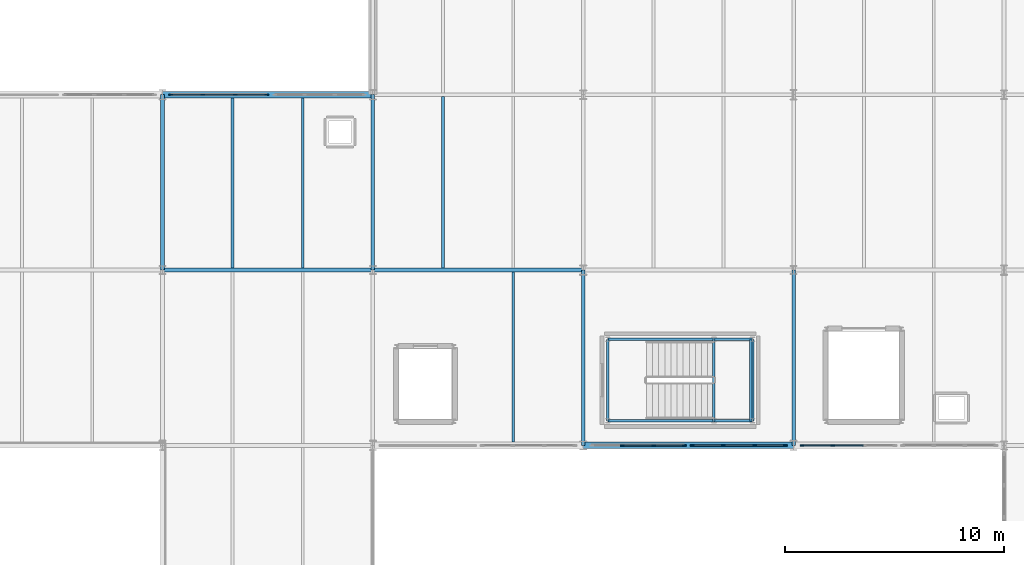
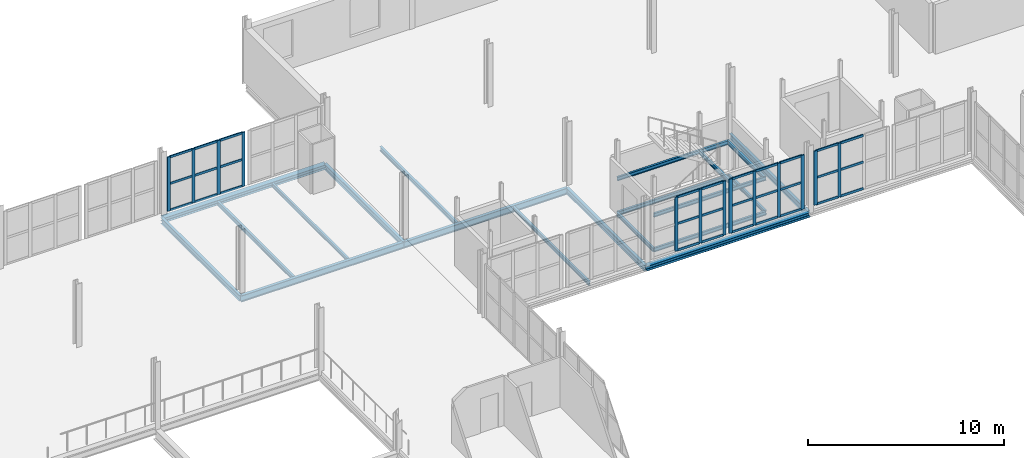
# One storey, part 51 of 85: 43 members, 20 beams, 4 elements without a shape of their own.
"""IFC4 building model written with IfcOpenShell, lengths in metres."""

import ifcopenshell
import ifcopenshell.guid

model = None  # the IFC model being written
_history = None  # IfcOwnerHistory: only IFC2X3 demands one
_inside = {}  # id of a spatial element -> (the spatial element, [elements in it])
_under = {}  # id of a project, library or spatial element -> (it, [spatial elements below it])
_declared = {}  # id of a project -> (the project, [libraries it declares])
_typed = {}  # id of a type object -> (the type object, [elements of that type])
_made_of = {}  # id of a material, layer set ... -> (it, [elements and type objects made of it])


def new_model(schema):
    """Start an empty IFC model of exactly this schema.

    Asked for "IFC4X3", IfcOpenShell would pick the latest addendum, in which some entities
    have other attributes; the version numbers below select the first issue.
    IFC2X3 requires an IfcOwnerHistory on every rooted entity: one is made here for all.
    """
    global model, _history
    if schema == "IFC4X3":
        model = ifcopenshell.file(schema_version=(4, 3, 0, 0))
    else:
        model = ifcopenshell.file(schema=schema)
    _inside.clear()
    _under.clear()
    _declared.clear()
    _typed.clear()
    _made_of.clear()
    _history = None
    if model.schema == "IFC2X3":
        org = make("IfcOrganization", Name="unknown")
        user = make(
            "IfcPersonAndOrganization",
            ThePerson=make("IfcPerson", FamilyName="unknown"),
            TheOrganization=org,
        )
        app = make(
            "IfcApplication",
            ApplicationDeveloper=org,
            Version="unknown",
            ApplicationFullName="unknown",
            ApplicationIdentifier="unknown",
        )
        _history = make(
            "IfcOwnerHistory",
            OwningUser=user,
            OwningApplication=app,
            ChangeAction="ADDED",
            CreationDate=0,
        )
    return model


def make(cls, **values):
    """One entity of the class cls with the attributes given. An attribute that is None is left unset."""
    return model.create_entity(
        cls, **{name: value for name, value in values.items() if value is not None}
    )


def rooted(cls, **values):
    """An entity with a GlobalId (a new one), such as an element, a storey or a relation."""
    return make(cls, GlobalId=ifcopenshell.guid.new(), OwnerHistory=_history, **values)


def si_unit(unit_type, name, prefix=None):
    """IfcSIUnit, for example si_unit("LENGTHUNIT", "METRE", prefix="MILLI")."""
    return make("IfcSIUnit", UnitType=unit_type, Prefix=prefix, Name=name)


def assignment(units):
    """IfcUnitAssignment: the units of a project."""
    return None if units is None else make("IfcUnitAssignment", Units=units)


def point(xyz):
    """IfcCartesianPoint."""
    return None if xyz is None else make("IfcCartesianPoint", Coordinates=xyz)


def direction(xyz):
    """IfcDirection."""
    return None if xyz is None else make("IfcDirection", DirectionRatios=xyz)


def frame(location, z_axis=None, x_axis=None):
    """IfcAxis2Placement3D, a coordinate frame: its origin and axes. An axis left out is left unset."""
    return make(
        "IfcAxis2Placement3D",
        Location=point(location),
        Axis=direction(z_axis),
        RefDirection=direction(x_axis),
    )


def frame_2d(location, x_axis=None):
    """IfcAxis2Placement2D, a coordinate frame in the plane: its origin and x axis."""
    return make(
        "IfcAxis2Placement2D", Location=point(location), RefDirection=direction(x_axis)
    )


def origin():
    """The frame at (0, 0, 0) with its axes left unset."""
    return frame((0.0, 0.0, 0.0))


def origin_2d():
    """The frame at (0, 0) in the plane with its x axis left unset."""
    return frame_2d((0.0, 0.0))


def place(relative_to, where):
    """IfcLocalPlacement: puts the frame where relative to a parent placement (None: the world)."""
    return make(
        "IfcLocalPlacement", PlacementRelTo=relative_to, RelativePlacement=where
    )


def context(
    kind, dimensions, precision=None, world=None, true_north=None, identifier=None
):
    """IfcGeometricRepresentationContext, for example the 3D "Model" context."""
    return make(
        "IfcGeometricRepresentationContext",
        ContextIdentifier=identifier,
        ContextType=kind,
        CoordinateSpaceDimension=dimensions,
        Precision=precision,
        WorldCoordinateSystem=world,
        TrueNorth=true_north,
    )


def subcontext(parent, identifier, kind, view, scale=None):
    """IfcGeometricRepresentationSubContext, for example "Body" below "Model"."""
    return make(
        "IfcGeometricRepresentationSubContext",
        ContextIdentifier=identifier,
        ContextType=kind,
        ParentContext=parent,
        TargetScale=scale,
        TargetView=view,
    )


def project(units=None, contexts=None):
    """IfcProject with its units and contexts."""
    return rooted(
        "IfcProject",
        Name="project",
        RepresentationContexts=contexts,
        UnitsInContext=assignment(units),
    )


def spatial(cls, under=None, at=None, **own):
    """A site, building, storey or space (cls), placed at a placement, below another one or the project."""
    s = rooted(cls, ObjectPlacement=at, **own)
    if under is not None:
        _under.setdefault(under.id(), (under, []))[1].append(s)
    return s


def profile(cls, at=None, kind="AREA", **sizes):
    """A parametric profile (cls). Its sizes go by their IFC names, for example OverallWidth=200.0."""
    return make(cls, ProfileType=kind, Position=at, **sizes)


def rectangle(**sizes):
    """IfcRectangleProfileDef."""
    return profile("IfcRectangleProfileDef", **sizes)


def i_section(**sizes):
    """IfcIShapeProfileDef."""
    return profile("IfcIShapeProfileDef", **sizes)


def extrude(swept, where, along, depth):
    """IfcExtrudedAreaSolid: the profile swept, set in the frame where, extruded along a direction by depth."""
    return make(
        "IfcExtrudedAreaSolid",
        SweptArea=swept,
        Position=where,
        ExtrudedDirection=direction(along),
        Depth=depth,
    )


def shape(context_of_items, identifier, shape_type, items):
    """IfcShapeRepresentation: the items that make up one representation, for example the "Body"."""
    return make(
        "IfcShapeRepresentation",
        ContextOfItems=context_of_items,
        RepresentationIdentifier=identifier,
        RepresentationType=shape_type,
        Items=items,
    )


def material(Name=None, Category=None):
    """IfcMaterial."""
    return make("IfcMaterial", Name=Name, Category=Category)


def layer(
    of_material, thickness, ventilated=None, Name=None, Category=None, Priority=None
):
    """IfcMaterialLayer: one layer of a wall or slab, of a material (None: an air gap)."""
    return make(
        "IfcMaterialLayer",
        Material=of_material,
        LayerThickness=thickness,
        IsVentilated=ventilated,
        Name=Name,
        Category=Category,
        Priority=Priority,
    )


def layer_set(layers, Name=None):
    """IfcMaterialLayerSet."""
    return make("IfcMaterialLayerSet", MaterialLayers=layers, LayerSetName=Name)


def material_profile(
    of_material, cross_section, Name=None, Category=None, Priority=None
):
    """IfcMaterialProfile: a cross section and its material."""
    return make(
        "IfcMaterialProfile",
        Name=Name,
        Material=of_material,
        Profile=cross_section,
        Priority=Priority,
        Category=Category,
    )


def profile_set(profiles, Name=None, composite=None):
    """IfcMaterialProfileSet."""
    return make(
        "IfcMaterialProfileSet",
        Name=Name,
        MaterialProfiles=profiles,
        CompositeProfile=composite,
    )


def made_of(thing, what):
    """Note that an element or type object is made of a material, layer set ...; save() writes the relation."""
    if what is not None:
        _made_of.setdefault(what.id(), (what, []))[1].append(thing)
    return thing


def type_object(cls, material=None, **own):
    """A type object (cls), such as IfcWallType, which elements share."""
    return made_of(rooted(cls, **own), material)


def element(
    cls,
    number,
    at=None,
    inside=None,
    cuts=None,
    type_object=None,
    material=None,
    context=None,
    identifier="Body",
    shape_type=None,
    held_by="IfcProductDefinitionShape",
    body=None,
    shapes=None,
    **own,
):
    """One element of the class cls, such as IfcWall. Its Tag is "e" and its number.

    at: its placement. inside: the storey or other place that contains it. cuts: it is an
    opening in that element (IfcRelVoidsElement). A single representation is given by context,
    identifier, shape_type and body (its items); several are given by shapes. held_by: the class
    of the entity that holds the representations. save() writes the other relations.
    """
    e = rooted(cls, Tag="e%d" % number, ObjectPlacement=at, **own)
    if body is not None:
        shapes = [shape(context, identifier, shape_type, body)]
    if shapes is not None:
        e.Representation = make(held_by, Representations=shapes)
    if inside is not None:
        _inside.setdefault(inside.id(), (inside, []))[1].append(e)
    if cuts is not None:
        rooted(
            "IfcRelVoidsElement", RelatingBuildingElement=cuts, RelatedOpeningElement=e
        )
    if type_object is not None:
        _typed.setdefault(type_object.id(), (type_object, []))[1].append(e)
    return made_of(e, material)


def aggregate(whole, parts):
    """IfcRelAggregates: a whole, such as a stair, and the parts it consists of."""
    return rooted("IfcRelAggregates", RelatingObject=whole, RelatedObjects=parts)


def save(model, path):
    """Write the relations noted so far, then the file.

    IfcRelAggregates (storeys below a building ...), IfcRelContainedInSpatialStructure (elements
    in a storey), IfcRelDefinesByType, IfcRelAssociatesMaterial and IfcRelDeclares: one each for
    every whole, place, type object, material and project.
    """
    for whole, parts in _under.values():
        aggregate(whole, parts)
    for where, things in _inside.values():
        rooted(
            "IfcRelContainedInSpatialStructure",
            RelatedElements=things,
            RelatingStructure=where,
        )
    for kind, things in _typed.values():
        rooted("IfcRelDefinesByType", RelatedObjects=things, RelatingType=kind)
    for what, things in _made_of.values():
        rooted("IfcRelAssociatesMaterial", RelatedObjects=things, RelatingMaterial=what)
    for by, libraries in _declared.values():
        rooted("IfcRelDeclares", RelatingContext=by, RelatedDefinitions=libraries)
    model.write(path)


model = new_model("IFC4")

# Units and contexts
model_context = context("Model", 3, precision=1e-05, world=origin(), true_north=direction((0.0, 1.0)))
body_context = subcontext(model_context, "Body", "Model", "MODEL_VIEW")
ifc_project = project(units=[si_unit("LENGTHUNIT", "METRE"), si_unit("AREAUNIT", "SQUARE_METRE"), si_unit("VOLUMEUNIT", "CUBIC_METRE"), si_unit("PLANEANGLEUNIT", "RADIAN"), si_unit("MASSUNIT", "GRAM", prefix="KILO")], contexts=[model_context])

# Site, building, storey
site_placement = place(None, origin())
site = spatial("IfcSite", under=ifc_project, at=site_placement, CompositionType="ELEMENT")
building_placement = place(site_placement, origin())
building = spatial("IfcBuilding", under=site, at=building_placement, Name="Alderhovde Museum", CompositionType="ELEMENT")
storey_placement = place(building_placement, frame((0.0, 0.0, 8.699951171875)))
storey = spatial("IfcBuildingStorey", under=building, at=storey_placement, Name="L02", CompositionType="ELEMENT", Elevation=8.699951171875)

# Beams
ifc_material_1 = material(Name="Steel S355J2", Category="steel")
ifc_material_profile_1 = material_profile(ifc_material_1, i_section(OverallWidth=0.1201171875, OverallDepth=0.239990234375, WebThickness=0.006103515625, FlangeThickness=0.009765625, FilletRadius=0.014892578125, at=origin_2d()), Name="IPE 240")
ifc_profile_set_1 = profile_set([ifc_material_profile_1], Name="Steel S355J2")
beam_type_1 = type_object("IfcBeamType", Name="BM-IPE240", PredefinedType="BEAM", material=ifc_profile_set_1)
for number, where, z_axis, x_axis, name in (
    (1, (125.919921875, 73.1201171875, -0.3798828125), (1.0, 0.0, 0.0), (0.0, 1.0, 0.0), "L02 Stair ST4 Floor Trimmer S"),
    (2, (125.919921875, 76.840087890625, -0.3798828125), (1.0, 0.0, 0.0), (0.0, 1.0, 0.0), "L02 Stair ST4 Floor Trimmer N"),
):
    element("IfcBeam", number, at=place(storey_placement, frame(where, z_axis=z_axis, x_axis=x_axis)), inside=storey, type_object=beam_type_1, Name=name, PredefinedType="BEAM", context=body_context, shape_type="SweptSolid", body=[
        extrude(i_section(OverallWidth=0.1201171875, OverallDepth=0.239990234375, WebThickness=0.006103515625, FlangeThickness=0.009765625, FilletRadius=0.014892578125, at=origin_2d()), origin(), (0.0, 0.0, 1.0), 6.60009765625),
    ])
for number, where, z_axis, x_axis, name in (
    (3, (125.919921875, 73.1201171875, -0.3798828125), (0.0, 1.0, 0.0), (-1.0, 0.0, 0.0), "L02 Stair ST4 Floor Trimmer W"),
    (4, (132.52001953125, 73.1201171875, -0.3798828125), (0.0, 1.0, 0.0), (-1.0, 0.0, 0.0), "L02 Stair ST4 Floor Trimmer E"),
):
    element("IfcBeam", number, at=place(storey_placement, frame(where, z_axis=z_axis, x_axis=x_axis)), inside=storey, type_object=beam_type_1, Name=name, PredefinedType="BEAM", context=body_context, shape_type="SweptSolid", body=[
        extrude(i_section(OverallWidth=0.1201171875, OverallDepth=0.239990234375, WebThickness=0.006103515625, FlangeThickness=0.009765625, FilletRadius=0.014892578125, at=origin_2d()), origin(), (0.0, 0.0, 1.0), 3.719970703125),
    ])
for number, where, z_axis, x_axis, name in (
    (5, (125.919921875, 73.1201171875, 1.780029296875), (1.0, 0.0, 0.0), (0.0, 1.0, 0.0), "L02 Stair ST4 Landing 1 Beam S"),
    (6, (125.919921875, 76.840087890625, 1.780029296875), (1.0, 0.0, 0.0), (0.0, 1.0, 0.0), "L02 Stair ST4 Landing 1 Beam N"),
):
    element("IfcBeam", number, at=place(storey_placement, frame(where, z_axis=z_axis, x_axis=x_axis)), inside=storey, type_object=beam_type_1, Name=name, PredefinedType="BEAM", context=body_context, shape_type="SweptSolid", body=[
        extrude(i_section(OverallWidth=0.1201171875, OverallDepth=0.239990234375, WebThickness=0.006103515625, FlangeThickness=0.009765625, FilletRadius=0.014892578125, at=origin_2d()), origin(), (0.0, 0.0, 1.0), 6.60009765625),
    ])
for number, where, z_axis, x_axis, name in (
    (7, (130.760009765625, 73.1201171875, 1.780029296875), (0.0, 1.0, 0.0), (-1.0, 0.0, 0.0), "L02 Stair ST4 Landing 1 Beam W"),
    (8, (132.43994140625, 73.1201171875, 1.780029296875), (0.0, 1.0, 0.0), (-1.0, 0.0, 0.0), "L02 Stair ST4 Landing 1 Beam E"),
):
    element("IfcBeam", number, at=place(storey_placement, frame(where, z_axis=z_axis, x_axis=x_axis)), inside=storey, type_object=beam_type_1, Name=name, PredefinedType="BEAM", context=body_context, shape_type="SweptSolid", body=[
        extrude(i_section(OverallWidth=0.1201171875, OverallDepth=0.239990234375, WebThickness=0.006103515625, FlangeThickness=0.009765625, FilletRadius=0.014892578125, at=origin_2d()), origin(), (0.0, 0.0, 1.0), 3.719970703125),
    ])
ifc_material_2 = material(Name="Steel S355J2", Category="steel")
ifc_material_profile_2 = material_profile(ifc_material_2, i_section(OverallWidth=0.169921875, OverallDepth=0.360107421875, WebThickness=0.008056640625, FlangeThickness=0.0126953125, FilletRadius=0.01806640625, at=origin_2d()), Name="IPE 360")
ifc_profile_set_2 = profile_set([ifc_material_profile_2], Name="Steel S355J2")
beam_type_2 = type_object("IfcBeamType", Name="BM-IPE360", PredefinedType="BEAM", material=ifc_profile_set_2)
for number, where, z_axis, x_axis, name in (
    (9, (105.60009765625, 80.0, -0.43994140625), (0.0, 1.0, 0.0), (-1.0, 0.0, 0.0), "L02 Grid Beam X=105.6 (80.0 TO 88.0)"),
    (10, (115.199951171875, 80.0, -0.43994140625), (0.0, 1.0, 0.0), (-1.0, 0.0, 0.0), "L02 Grid Beam X=115.2 (80.0 TO 88.0)"),
    (11, (124.800048828125, 72.0, -0.43994140625), (0.0, 1.0, 0.0), (-1.0, 0.0, 0.0), "L02 Grid Beam X=124.8 (72.0 TO 80.0)"),
    (12, (134.39990234375, 72.0, -0.43994140625), (0.0, 1.0, 0.0), (-1.0, 0.0, 0.0), "L02 Grid Beam X=134.4 (72.0 TO 80.0)"),
):
    element("IfcBeam", number, at=place(storey_placement, frame(where, z_axis=z_axis, x_axis=x_axis)), inside=storey, type_object=beam_type_2, Name=name, PredefinedType="BEAM", context=body_context, shape_type="SweptSolid", body=[
        extrude(i_section(OverallWidth=0.169921875, OverallDepth=0.360107421875, WebThickness=0.008056640625, FlangeThickness=0.0126953125, FilletRadius=0.01806640625, at=origin_2d()), origin(), (0.0, 0.0, 1.0), 8.0),
    ])
ifc_material_3 = material(Name="Steel S355J2", Category="steel")
ifc_material_profile_3 = material_profile(ifc_material_3, i_section(OverallWidth=0.179931640625, OverallDepth=0.39990234375, WebThickness=0.008544921875, FlangeThickness=0.013427734375, FilletRadius=0.02099609375, at=origin_2d()), Name="IPE 400")
ifc_profile_set_3 = profile_set([ifc_material_profile_3], Name="Steel S355J2")
beam_type_3 = type_object("IfcBeamType", Name="BM-IPE400", PredefinedType="BEAM", material=ifc_profile_set_3)
beam_1_placement = place(storey_placement, frame((105.60009765625, 80.0, -0.4599609375), z_axis=(1.0, 0.0, 0.0), x_axis=(0.0, 1.0, 0.0)))
element("IfcBeam", 13, at=beam_1_placement, inside=storey, type_object=beam_type_3, Name="L02 Grid Beam Y=80.0 (105.6 TO 115.2)", PredefinedType="BEAM", context=body_context, shape_type="SweptSolid", body=[
    extrude(i_section(OverallWidth=0.179931640625, OverallDepth=0.39990234375, WebThickness=0.008544921875, FlangeThickness=0.013427734375, FilletRadius=0.02099609375, at=origin_2d()), origin(), (0.0, 0.0, 1.0), 9.599853515625),
])
beam_2_placement = place(storey_placement, frame((115.199951171875, 80.0, -0.4599609375), z_axis=(1.0, 0.0, 0.0), x_axis=(0.0, 1.0, 0.0)))
element("IfcBeam", 14, at=beam_2_placement, inside=storey, type_object=beam_type_3, Name="L02 Grid Beam Y=80.0 (115.2 TO 124.8)", PredefinedType="BEAM", context=body_context, shape_type="SweptSolid", body=[
    extrude(i_section(OverallWidth=0.179931640625, OverallDepth=0.39990234375, WebThickness=0.008544921875, FlangeThickness=0.013427734375, FilletRadius=0.02099609375, at=origin_2d()), origin(), (0.0, 0.0, 1.0), 9.60009765625),
])

# Curtain wall, members
ifc_material_4 = material(Name="Triple-Glazed Bronze-Anodised Curtain Wall", Category="glass")
ifc_layer_1 = layer(ifc_material_4, 0.179931640625)
ifc_layer_set_1 = layer_set([ifc_layer_1], Name="Triple-Glazed Bronze-Anodised Curtain Wall")
curtain_wall_type_1 = type_object("IfcCurtainWallType", Name="CW-UNIT-445x336", PredefinedType="USERDEFINED", material=ifc_layer_set_1)
curtain_wall_1_placement = place(storey_placement, origin())
curtain_wall_1 = element("IfcCurtainWall", 15, at=curtain_wall_1_placement, inside=storey, type_object=curtain_wall_type_1, Name="L02 Unitised Curtain Wall 33", ObjectType="UNITISED CURTAIN WALL", PredefinedType="USERDEFINED")
ifc_material_5 = material(Name="Bronze-Anodised Aluminium EN AW-6063-T6", Category="aluminium")
ifc_material_profile_4 = material_profile(ifc_material_5, rectangle(XDim=0.06494140625, YDim=0.179931640625, at=origin_2d()), Name="MULLION 65x180")
ifc_profile_set_4 = profile_set([ifc_material_profile_4], Name="Bronze-Anodised Aluminium EN AW-6063-T6")
member_type_1 = type_object("IfcMemberType", Name="CWM-65x180", PredefinedType="MULLION", material=ifc_profile_set_4)
member_1_placement = place(storey_placement, frame((105.982421875, 88.0, 0.0), z_axis=(0.0, 0.0, 1.0), x_axis=(0.0, 1.0, 0.0)))
member_1 = element("IfcMember", 16, at=member_1_placement, type_object=member_type_1, Name="CW10 mullion 1", PredefinedType="MULLION", context=body_context, shape_type="SweptSolid", body=[
    extrude(rectangle(XDim=0.06494140625, YDim=0.179931640625, at=origin_2d()), origin(), (0.0, 0.0, 1.0), 3.360107421875),
])
member_2_placement = place(storey_placement, frame((107.433349609375, 88.0, 0.0), z_axis=(0.0, 0.0, 1.0), x_axis=(0.0, 1.0, 0.0)))
member_2 = element("IfcMember", 17, at=member_2_placement, type_object=member_type_1, Name="CW10 mullion 2", PredefinedType="MULLION", context=body_context, shape_type="SweptSolid", body=[
    extrude(rectangle(XDim=0.06494140625, YDim=0.179931640625, at=origin_2d()), origin(), (0.0, 0.0, 1.0), 3.360107421875),
])
member_3_placement = place(storey_placement, frame((108.916748046875, 88.0, 0.0), z_axis=(0.0, 0.0, 1.0), x_axis=(0.0, 1.0, 0.0)))
member_3 = element("IfcMember", 18, at=member_3_placement, type_object=member_type_1, Name="CW10 mullion 3", PredefinedType="MULLION", context=body_context, shape_type="SweptSolid", body=[
    extrude(rectangle(XDim=0.06494140625, YDim=0.179931640625, at=origin_2d()), origin(), (0.0, 0.0, 1.0), 3.360107421875),
])
member_4_placement = place(storey_placement, frame((110.367431640625, 88.0, 0.0), z_axis=(0.0, 0.0, 1.0), x_axis=(0.0, 1.0, 0.0)))
member_4 = element("IfcMember", 19, at=member_4_placement, type_object=member_type_1, Name="CW10 mullion 4", PredefinedType="MULLION", context=body_context, shape_type="SweptSolid", body=[
    extrude(rectangle(XDim=0.06494140625, YDim=0.179931640625, at=origin_2d()), origin(), (0.0, 0.0, 1.0), 3.360107421875),
])

ifc_material_6 = material(Name="Triple-Glazed Bronze-Anodised Curtain Wall", Category="glass")
ifc_layer_2 = layer(ifc_material_6, 0.179931640625)
ifc_layer_set_2 = layer_set([ifc_layer_2], Name="Triple-Glazed Bronze-Anodised Curtain Wall")
curtain_wall_type_2 = type_object("IfcCurtainWallType", Name="CW-STIC-430x336", PredefinedType="USERDEFINED", material=ifc_layer_set_2)
curtain_wall_2_placement = place(storey_placement, origin())
curtain_wall_2 = element("IfcCurtainWall", 20, at=curtain_wall_2_placement, inside=storey, type_object=curtain_wall_type_2, Name="L02 Stick Curtain Wall 158", ObjectType="STICK CURTAIN WALL", PredefinedType="USERDEFINED")
member_5_placement = place(storey_placement, frame((126.583251953125, 72.0, 0.0), z_axis=(0.0, 0.0, 1.0), x_axis=(0.0, 1.0, 0.0)))
member_5 = element("IfcMember", 21, at=member_5_placement, type_object=member_type_1, Name="CW37 mullion 2", PredefinedType="MULLION", context=body_context, shape_type="SweptSolid", body=[
    extrude(rectangle(XDim=0.06494140625, YDim=0.179931640625, at=origin_2d()), origin(), (0.0, 0.0, 1.0), 3.360107421875),
])
member_6_placement = place(storey_placement, frame((128.0166015625, 72.0, 0.0), z_axis=(0.0, 0.0, 1.0), x_axis=(0.0, 1.0, 0.0)))
member_6 = element("IfcMember", 22, at=member_6_placement, type_object=member_type_1, Name="CW37 mullion 3", PredefinedType="MULLION", context=body_context, shape_type="SweptSolid", body=[
    extrude(rectangle(XDim=0.06494140625, YDim=0.179931640625, at=origin_2d()), origin(), (0.0, 0.0, 1.0), 3.360107421875),
])
member_7_placement = place(storey_placement, frame((129.41748046875, 72.0, 0.0), z_axis=(0.0, 0.0, 1.0), x_axis=(0.0, 1.0, 0.0)))
member_7 = element("IfcMember", 23, at=member_7_placement, type_object=member_type_1, Name="CW37 mullion 4", PredefinedType="MULLION", context=body_context, shape_type="SweptSolid", body=[
    extrude(rectangle(XDim=0.06494140625, YDim=0.179931640625, at=origin_2d()), origin(), (0.0, 0.0, 1.0), 3.360107421875),
])

curtain_wall_3_placement = place(storey_placement, origin())
curtain_wall_3 = element("IfcCurtainWall", 24, at=curtain_wall_3_placement, inside=storey, type_object=curtain_wall_type_2, Name="L02 Stick Curtain Wall 159", ObjectType="STICK CURTAIN WALL", PredefinedType="USERDEFINED")
member_8_placement = place(storey_placement, frame((129.782470703125, 72.0, 0.0), z_axis=(0.0, 0.0, 1.0), x_axis=(0.0, 1.0, 0.0)))
member_8 = element("IfcMember", 25, at=member_8_placement, type_object=member_type_1, Name="CW37 mullion 1", PredefinedType="MULLION", context=body_context, shape_type="SweptSolid", body=[
    extrude(rectangle(XDim=0.06494140625, YDim=0.179931640625, at=origin_2d()), origin(), (0.0, 0.0, 1.0), 3.360107421875),
])
member_9_placement = place(storey_placement, frame((131.183349609375, 72.0, 0.0), z_axis=(0.0, 0.0, 1.0), x_axis=(0.0, 1.0, 0.0)))
member_9 = element("IfcMember", 26, at=member_9_placement, type_object=member_type_1, Name="CW37 mullion 2", PredefinedType="MULLION", context=body_context, shape_type="SweptSolid", body=[
    extrude(rectangle(XDim=0.06494140625, YDim=0.179931640625, at=origin_2d()), origin(), (0.0, 0.0, 1.0), 3.360107421875),
])
member_10_placement = place(storey_placement, frame((132.61669921875, 72.0, 0.0), z_axis=(0.0, 0.0, 1.0), x_axis=(0.0, 1.0, 0.0)))
member_10 = element("IfcMember", 27, at=member_10_placement, type_object=member_type_1, Name="CW37 mullion 3", PredefinedType="MULLION", context=body_context, shape_type="SweptSolid", body=[
    extrude(rectangle(XDim=0.06494140625, YDim=0.179931640625, at=origin_2d()), origin(), (0.0, 0.0, 1.0), 3.360107421875),
])
member_11_placement = place(storey_placement, frame((134.017578125, 72.0, 0.0), z_axis=(0.0, 0.0, 1.0), x_axis=(0.0, 1.0, 0.0)))
member_11 = element("IfcMember", 28, at=member_11_placement, type_object=member_type_1, Name="CW37 mullion 4", PredefinedType="MULLION", context=body_context, shape_type="SweptSolid", body=[
    extrude(rectangle(XDim=0.06494140625, YDim=0.179931640625, at=origin_2d()), origin(), (0.0, 0.0, 1.0), 3.360107421875),
])

curtain_wall_4_placement = place(storey_placement, origin())
curtain_wall_4 = element("IfcCurtainWall", 29, at=curtain_wall_4_placement, inside=storey, type_object=curtain_wall_type_2, Name="L02 Stick Curtain Wall 161", ObjectType="STICK CURTAIN WALL", PredefinedType="USERDEFINED")
member_12_placement = place(storey_placement, frame((134.782470703125, 72.0, 0.0), z_axis=(0.0, 0.0, 1.0), x_axis=(0.0, 1.0, 0.0)))
member_12 = element("IfcMember", 30, at=member_12_placement, type_object=member_type_1, Name="CW37 mullion 1", PredefinedType="MULLION", context=body_context, shape_type="SweptSolid", body=[
    extrude(rectangle(XDim=0.06494140625, YDim=0.179931640625, at=origin_2d()), origin(), (0.0, 0.0, 1.0), 3.360107421875),
])
member_13_placement = place(storey_placement, frame((136.183349609375, 72.0, 0.0), z_axis=(0.0, 0.0, 1.0), x_axis=(0.0, 1.0, 0.0)))
member_13 = element("IfcMember", 31, at=member_13_placement, type_object=member_type_1, Name="CW37 mullion 2", PredefinedType="MULLION", context=body_context, shape_type="SweptSolid", body=[
    extrude(rectangle(XDim=0.06494140625, YDim=0.179931640625, at=origin_2d()), origin(), (0.0, 0.0, 1.0), 3.360107421875),
])

# Member
ifc_material_7 = material(Name="Bronze-Anodised Aluminium EN AW-6063-T6", Category="aluminium")
ifc_material_profile_5 = material_profile(ifc_material_7, rectangle(XDim=0.06494140625, YDim=0.139892578125, at=origin_2d()), Name="TRANSOM 65x140")
ifc_profile_set_5 = profile_set([ifc_material_profile_5], Name="Bronze-Anodised Aluminium EN AW-6063-T6")
member_type_2 = type_object("IfcMemberType", Name="CWT-65x140", PredefinedType="USERDEFINED", material=ifc_profile_set_5)
member_14_placement = place(storey_placement, frame((106.014892578125, 88.0, 0.032470703125), z_axis=(1.0, 0.0, 0.0), x_axis=(0.0, 1.0, 0.0)))
member_14 = element("IfcMember", 32, at=member_14_placement, type_object=member_type_2, Name="CW10 transom 1.1", ObjectType="TRANSOM", PredefinedType="USERDEFINED", context=body_context, shape_type="SweptSolid", body=[
    extrude(rectangle(XDim=0.06494140625, YDim=0.139892578125, at=origin_2d()), origin(), (0.0, 0.0, 1.0), 1.385986328125),
])

member_15_placement = place(storey_placement, frame((106.014892578125, 88.0, 1.679931640625), z_axis=(1.0, 0.0, 0.0), x_axis=(0.0, 1.0, 0.0)))
member_15 = element("IfcMember", 33, at=member_15_placement, type_object=member_type_2, Name="CW10 transom 1.2", ObjectType="TRANSOM", PredefinedType="USERDEFINED", context=body_context, shape_type="SweptSolid", body=[
    extrude(rectangle(XDim=0.06494140625, YDim=0.139892578125, at=origin_2d()), origin(), (0.0, 0.0, 1.0), 1.385986328125),
])

member_16_placement = place(storey_placement, frame((106.014892578125, 88.0, 3.32763671875), z_axis=(1.0, 0.0, 0.0), x_axis=(0.0, 1.0, 0.0)))
member_16 = element("IfcMember", 34, at=member_16_placement, type_object=member_type_2, Name="CW10 transom 1.3", ObjectType="TRANSOM", PredefinedType="USERDEFINED", context=body_context, shape_type="SweptSolid", body=[
    extrude(rectangle(XDim=0.06494140625, YDim=0.139892578125, at=origin_2d()), origin(), (0.0, 0.0, 1.0), 1.385986328125),
])

member_17_placement = place(storey_placement, frame((107.4658203125, 88.0, 0.032470703125), z_axis=(1.0, 0.0, 0.0), x_axis=(0.0, 1.0, 0.0)))
member_17 = element("IfcMember", 35, at=member_17_placement, type_object=member_type_2, Name="CW10 transom 2.1", ObjectType="TRANSOM", PredefinedType="USERDEFINED", context=body_context, shape_type="SweptSolid", body=[
    extrude(rectangle(XDim=0.06494140625, YDim=0.139892578125, at=origin_2d()), origin(), (0.0, 0.0, 1.0), 1.41845703125),
])

member_18_placement = place(storey_placement, frame((107.4658203125, 88.0, 1.679931640625), z_axis=(1.0, 0.0, 0.0), x_axis=(0.0, 1.0, 0.0)))
member_18 = element("IfcMember", 36, at=member_18_placement, type_object=member_type_2, Name="CW10 transom 2.2", ObjectType="TRANSOM", PredefinedType="USERDEFINED", context=body_context, shape_type="SweptSolid", body=[
    extrude(rectangle(XDim=0.06494140625, YDim=0.139892578125, at=origin_2d()), origin(), (0.0, 0.0, 1.0), 1.41845703125),
])

member_19_placement = place(storey_placement, frame((107.4658203125, 88.0, 3.32763671875), z_axis=(1.0, 0.0, 0.0), x_axis=(0.0, 1.0, 0.0)))
member_19 = element("IfcMember", 37, at=member_19_placement, type_object=member_type_2, Name="CW10 transom 2.3", ObjectType="TRANSOM", PredefinedType="USERDEFINED", context=body_context, shape_type="SweptSolid", body=[
    extrude(rectangle(XDim=0.06494140625, YDim=0.139892578125, at=origin_2d()), origin(), (0.0, 0.0, 1.0), 1.41845703125),
])

member_20_placement = place(storey_placement, frame((108.94921875, 88.0, 0.032470703125), z_axis=(1.0, 0.0, 0.0), x_axis=(0.0, 1.0, 0.0)))
member_20 = element("IfcMember", 38, at=member_20_placement, type_object=member_type_2, Name="CW10 transom 3.1", ObjectType="TRANSOM", PredefinedType="USERDEFINED", context=body_context, shape_type="SweptSolid", body=[
    extrude(rectangle(XDim=0.06494140625, YDim=0.139892578125, at=origin_2d()), origin(), (0.0, 0.0, 1.0), 1.3857421875),
])

member_21_placement = place(storey_placement, frame((108.94921875, 88.0, 1.679931640625), z_axis=(1.0, 0.0, 0.0), x_axis=(0.0, 1.0, 0.0)))
member_21 = element("IfcMember", 39, at=member_21_placement, type_object=member_type_2, Name="CW10 transom 3.2", ObjectType="TRANSOM", PredefinedType="USERDEFINED", context=body_context, shape_type="SweptSolid", body=[
    extrude(rectangle(XDim=0.06494140625, YDim=0.139892578125, at=origin_2d()), origin(), (0.0, 0.0, 1.0), 1.3857421875),
])

member_22_placement = place(storey_placement, frame((108.94921875, 88.0, 3.32763671875), z_axis=(1.0, 0.0, 0.0), x_axis=(0.0, 1.0, 0.0)))
member_22 = element("IfcMember", 40, at=member_22_placement, type_object=member_type_2, Name="CW10 transom 3.3", ObjectType="TRANSOM", PredefinedType="USERDEFINED", context=body_context, shape_type="SweptSolid", body=[
    extrude(rectangle(XDim=0.06494140625, YDim=0.139892578125, at=origin_2d()), origin(), (0.0, 0.0, 1.0), 1.3857421875),
])

aggregate(curtain_wall_1, [member_1, member_2, member_3, member_4, member_14, member_15, member_16, member_17, member_18, member_19, member_20, member_21, member_22])

member_23_placement = place(storey_placement, frame((126.61572265625, 72.0, 0.032470703125), z_axis=(1.0, 0.0, 0.0), x_axis=(0.0, 1.0, 0.0)))
member_23 = element("IfcMember", 41, at=member_23_placement, type_object=member_type_2, Name="CW37 transom 2.1", ObjectType="TRANSOM", PredefinedType="USERDEFINED", context=body_context, shape_type="SweptSolid", body=[
    extrude(rectangle(XDim=0.06494140625, YDim=0.139892578125, at=origin_2d()), origin(), (0.0, 0.0, 1.0), 1.368408203125),
])

member_24_placement = place(storey_placement, frame((126.61572265625, 72.0, 1.679931640625), z_axis=(1.0, 0.0, 0.0), x_axis=(0.0, 1.0, 0.0)))
member_24 = element("IfcMember", 42, at=member_24_placement, type_object=member_type_2, Name="CW37 transom 2.2", ObjectType="TRANSOM", PredefinedType="USERDEFINED", context=body_context, shape_type="SweptSolid", body=[
    extrude(rectangle(XDim=0.06494140625, YDim=0.139892578125, at=origin_2d()), origin(), (0.0, 0.0, 1.0), 1.368408203125),
])

member_25_placement = place(storey_placement, frame((126.61572265625, 72.0, 3.32763671875), z_axis=(1.0, 0.0, 0.0), x_axis=(0.0, 1.0, 0.0)))
member_25 = element("IfcMember", 43, at=member_25_placement, type_object=member_type_2, Name="CW37 transom 2.3", ObjectType="TRANSOM", PredefinedType="USERDEFINED", context=body_context, shape_type="SweptSolid", body=[
    extrude(rectangle(XDim=0.06494140625, YDim=0.139892578125, at=origin_2d()), origin(), (0.0, 0.0, 1.0), 1.368408203125),
])

member_26_placement = place(storey_placement, frame((128.049072265625, 72.0, 0.032470703125), z_axis=(1.0, 0.0, 0.0), x_axis=(0.0, 1.0, 0.0)))
member_26 = element("IfcMember", 44, at=member_26_placement, type_object=member_type_2, Name="CW37 transom 3.1", ObjectType="TRANSOM", PredefinedType="USERDEFINED", context=body_context, shape_type="SweptSolid", body=[
    extrude(rectangle(XDim=0.06494140625, YDim=0.139892578125, at=origin_2d()), origin(), (0.0, 0.0, 1.0), 1.3359375),
])

member_27_placement = place(storey_placement, frame((128.049072265625, 72.0, 1.679931640625), z_axis=(1.0, 0.0, 0.0), x_axis=(0.0, 1.0, 0.0)))
member_27 = element("IfcMember", 45, at=member_27_placement, type_object=member_type_2, Name="CW37 transom 3.2", ObjectType="TRANSOM", PredefinedType="USERDEFINED", context=body_context, shape_type="SweptSolid", body=[
    extrude(rectangle(XDim=0.06494140625, YDim=0.139892578125, at=origin_2d()), origin(), (0.0, 0.0, 1.0), 1.3359375),
])

member_28_placement = place(storey_placement, frame((128.049072265625, 72.0, 3.32763671875), z_axis=(1.0, 0.0, 0.0), x_axis=(0.0, 1.0, 0.0)))
member_28 = element("IfcMember", 46, at=member_28_placement, type_object=member_type_2, Name="CW37 transom 3.3", ObjectType="TRANSOM", PredefinedType="USERDEFINED", context=body_context, shape_type="SweptSolid", body=[
    extrude(rectangle(XDim=0.06494140625, YDim=0.139892578125, at=origin_2d()), origin(), (0.0, 0.0, 1.0), 1.3359375),
])

aggregate(curtain_wall_2, [member_5, member_6, member_7, member_23, member_24, member_25, member_26, member_27, member_28])

member_29_placement = place(storey_placement, frame((129.81494140625, 72.0, 0.032470703125), z_axis=(1.0, 0.0, 0.0), x_axis=(0.0, 1.0, 0.0)))
member_29 = element("IfcMember", 47, at=member_29_placement, type_object=member_type_2, Name="CW37 transom 1.1", ObjectType="TRANSOM", PredefinedType="USERDEFINED", context=body_context, shape_type="SweptSolid", body=[
    extrude(rectangle(XDim=0.06494140625, YDim=0.139892578125, at=origin_2d()), origin(), (0.0, 0.0, 1.0), 1.3359375),
])

member_30_placement = place(storey_placement, frame((129.81494140625, 72.0, 1.679931640625), z_axis=(1.0, 0.0, 0.0), x_axis=(0.0, 1.0, 0.0)))
member_30 = element("IfcMember", 48, at=member_30_placement, type_object=member_type_2, Name="CW37 transom 1.2", ObjectType="TRANSOM", PredefinedType="USERDEFINED", context=body_context, shape_type="SweptSolid", body=[
    extrude(rectangle(XDim=0.06494140625, YDim=0.139892578125, at=origin_2d()), origin(), (0.0, 0.0, 1.0), 1.3359375),
])

member_31_placement = place(storey_placement, frame((129.81494140625, 72.0, 3.32763671875), z_axis=(1.0, 0.0, 0.0), x_axis=(0.0, 1.0, 0.0)))
member_31 = element("IfcMember", 49, at=member_31_placement, type_object=member_type_2, Name="CW37 transom 1.3", ObjectType="TRANSOM", PredefinedType="USERDEFINED", context=body_context, shape_type="SweptSolid", body=[
    extrude(rectangle(XDim=0.06494140625, YDim=0.139892578125, at=origin_2d()), origin(), (0.0, 0.0, 1.0), 1.3359375),
])

member_32_placement = place(storey_placement, frame((131.2158203125, 72.0, 0.032470703125), z_axis=(1.0, 0.0, 0.0), x_axis=(0.0, 1.0, 0.0)))
member_32 = element("IfcMember", 50, at=member_32_placement, type_object=member_type_2, Name="CW37 transom 2.1", ObjectType="TRANSOM", PredefinedType="USERDEFINED", context=body_context, shape_type="SweptSolid", body=[
    extrude(rectangle(XDim=0.06494140625, YDim=0.139892578125, at=origin_2d()), origin(), (0.0, 0.0, 1.0), 1.368408203125),
])

member_33_placement = place(storey_placement, frame((131.2158203125, 72.0, 1.679931640625), z_axis=(1.0, 0.0, 0.0), x_axis=(0.0, 1.0, 0.0)))
member_33 = element("IfcMember", 51, at=member_33_placement, type_object=member_type_2, Name="CW37 transom 2.2", ObjectType="TRANSOM", PredefinedType="USERDEFINED", context=body_context, shape_type="SweptSolid", body=[
    extrude(rectangle(XDim=0.06494140625, YDim=0.139892578125, at=origin_2d()), origin(), (0.0, 0.0, 1.0), 1.368408203125),
])

member_34_placement = place(storey_placement, frame((131.2158203125, 72.0, 3.32763671875), z_axis=(1.0, 0.0, 0.0), x_axis=(0.0, 1.0, 0.0)))
member_34 = element("IfcMember", 52, at=member_34_placement, type_object=member_type_2, Name="CW37 transom 2.3", ObjectType="TRANSOM", PredefinedType="USERDEFINED", context=body_context, shape_type="SweptSolid", body=[
    extrude(rectangle(XDim=0.06494140625, YDim=0.139892578125, at=origin_2d()), origin(), (0.0, 0.0, 1.0), 1.368408203125),
])

member_35_placement = place(storey_placement, frame((132.649169921875, 72.0, 0.032470703125), z_axis=(1.0, 0.0, 0.0), x_axis=(0.0, 1.0, 0.0)))
member_35 = element("IfcMember", 53, at=member_35_placement, type_object=member_type_2, Name="CW37 transom 3.1", ObjectType="TRANSOM", PredefinedType="USERDEFINED", context=body_context, shape_type="SweptSolid", body=[
    extrude(rectangle(XDim=0.06494140625, YDim=0.139892578125, at=origin_2d()), origin(), (0.0, 0.0, 1.0), 1.3359375),
])

member_36_placement = place(storey_placement, frame((132.649169921875, 72.0, 1.679931640625), z_axis=(1.0, 0.0, 0.0), x_axis=(0.0, 1.0, 0.0)))
member_36 = element("IfcMember", 54, at=member_36_placement, type_object=member_type_2, Name="CW37 transom 3.2", ObjectType="TRANSOM", PredefinedType="USERDEFINED", context=body_context, shape_type="SweptSolid", body=[
    extrude(rectangle(XDim=0.06494140625, YDim=0.139892578125, at=origin_2d()), origin(), (0.0, 0.0, 1.0), 1.3359375),
])

member_37_placement = place(storey_placement, frame((132.649169921875, 72.0, 3.32763671875), z_axis=(1.0, 0.0, 0.0), x_axis=(0.0, 1.0, 0.0)))
member_37 = element("IfcMember", 55, at=member_37_placement, type_object=member_type_2, Name="CW37 transom 3.3", ObjectType="TRANSOM", PredefinedType="USERDEFINED", context=body_context, shape_type="SweptSolid", body=[
    extrude(rectangle(XDim=0.06494140625, YDim=0.139892578125, at=origin_2d()), origin(), (0.0, 0.0, 1.0), 1.3359375),
])

aggregate(curtain_wall_3, [member_8, member_9, member_10, member_11, member_29, member_30, member_31, member_32, member_33, member_34, member_35, member_36, member_37])

member_38_placement = place(storey_placement, frame((134.81494140625, 72.0, 0.032470703125), z_axis=(1.0, 0.0, 0.0), x_axis=(0.0, 1.0, 0.0)))
member_38 = element("IfcMember", 56, at=member_38_placement, type_object=member_type_2, Name="CW37 transom 1.1", ObjectType="TRANSOM", PredefinedType="USERDEFINED", context=body_context, shape_type="SweptSolid", body=[
    extrude(rectangle(XDim=0.06494140625, YDim=0.139892578125, at=origin_2d()), origin(), (0.0, 0.0, 1.0), 1.3359375),
])

member_39_placement = place(storey_placement, frame((134.81494140625, 72.0, 1.679931640625), z_axis=(1.0, 0.0, 0.0), x_axis=(0.0, 1.0, 0.0)))
member_39 = element("IfcMember", 57, at=member_39_placement, type_object=member_type_2, Name="CW37 transom 1.2", ObjectType="TRANSOM", PredefinedType="USERDEFINED", context=body_context, shape_type="SweptSolid", body=[
    extrude(rectangle(XDim=0.06494140625, YDim=0.139892578125, at=origin_2d()), origin(), (0.0, 0.0, 1.0), 1.3359375),
])

member_40_placement = place(storey_placement, frame((134.81494140625, 72.0, 3.32763671875), z_axis=(1.0, 0.0, 0.0), x_axis=(0.0, 1.0, 0.0)))
member_40 = element("IfcMember", 58, at=member_40_placement, type_object=member_type_2, Name="CW37 transom 1.3", ObjectType="TRANSOM", PredefinedType="USERDEFINED", context=body_context, shape_type="SweptSolid", body=[
    extrude(rectangle(XDim=0.06494140625, YDim=0.139892578125, at=origin_2d()), origin(), (0.0, 0.0, 1.0), 1.3359375),
])

member_41_placement = place(storey_placement, frame((136.2158203125, 72.0, 0.032470703125), z_axis=(1.0, 0.0, 0.0), x_axis=(0.0, 1.0, 0.0)))
member_41 = element("IfcMember", 59, at=member_41_placement, type_object=member_type_2, Name="CW37 transom 2.1", ObjectType="TRANSOM", PredefinedType="USERDEFINED", context=body_context, shape_type="SweptSolid", body=[
    extrude(rectangle(XDim=0.06494140625, YDim=0.139892578125, at=origin_2d()), origin(), (0.0, 0.0, 1.0), 1.368408203125),
])

member_42_placement = place(storey_placement, frame((136.2158203125, 72.0, 1.679931640625), z_axis=(1.0, 0.0, 0.0), x_axis=(0.0, 1.0, 0.0)))
member_42 = element("IfcMember", 60, at=member_42_placement, type_object=member_type_2, Name="CW37 transom 2.2", ObjectType="TRANSOM", PredefinedType="USERDEFINED", context=body_context, shape_type="SweptSolid", body=[
    extrude(rectangle(XDim=0.06494140625, YDim=0.139892578125, at=origin_2d()), origin(), (0.0, 0.0, 1.0), 1.368408203125),
])

member_43_placement = place(storey_placement, frame((136.2158203125, 72.0, 3.32763671875), z_axis=(1.0, 0.0, 0.0), x_axis=(0.0, 1.0, 0.0)))
member_43 = element("IfcMember", 61, at=member_43_placement, type_object=member_type_2, Name="CW37 transom 2.3", ObjectType="TRANSOM", PredefinedType="USERDEFINED", context=body_context, shape_type="SweptSolid", body=[
    extrude(rectangle(XDim=0.06494140625, YDim=0.139892578125, at=origin_2d()), origin(), (0.0, 0.0, 1.0), 1.368408203125),
])

aggregate(curtain_wall_4, [member_12, member_13, member_38, member_39, member_40, member_41, member_42, member_43])

# Beams
ifc_material_8 = material(Name="Steel S355J2", Category="steel")
ifc_material_profile_6 = material_profile(ifc_material_8, i_section(OverallWidth=0.1201171875, OverallDepth=0.239990234375, WebThickness=0.006103515625, FlangeThickness=0.009765625, FilletRadius=0.014892578125, at=origin_2d()), Name="IPE 240")
ifc_profile_set_6 = profile_set([ifc_material_profile_6], Name="Steel S355J2")
beam_type_4 = type_object("IfcBeamType", Name="JST-IPE240", PredefinedType="JOIST", material=ifc_profile_set_6)
for number, where, z_axis, x_axis, name in (
    (62, (112.0, 80.090087890625, -0.3798828125), (0.0, 1.0, 0.0), (-1.0, 0.0, 0.0), "L02 Composite Joist X=112.0 (80.0 TO 88.0)"),
    (63, (121.60009765625, 72.14990234375, -0.3798828125), (0.0, 1.0, 0.0), (-1.0, 0.0, 0.0), "L02 Composite Joist X=121.6 (72.0 TO 80.0)"),
):
    element("IfcBeam", number, at=place(storey_placement, frame(where, z_axis=z_axis, x_axis=x_axis)), inside=storey, type_object=beam_type_4, Name=name, PredefinedType="JOIST", context=body_context, shape_type="SweptSolid", body=[
        extrude(i_section(OverallWidth=0.1201171875, OverallDepth=0.239990234375, WebThickness=0.006103515625, FlangeThickness=0.009765625, FilletRadius=0.014892578125, at=origin_2d()), origin(), (0.0, 0.0, 1.0), 7.760009765625),
    ])
ifc_material_9 = material(Name="Steel S355J2", Category="steel")
ifc_material_profile_7 = material_profile(ifc_material_9, i_section(OverallWidth=0.135009765625, OverallDepth=0.27001953125, WebThickness=0.006591796875, FlangeThickness=0.01025390625, FilletRadius=0.014892578125, at=origin_2d()), Name="IPE 270")
ifc_profile_set_7 = profile_set([ifc_material_profile_7], Name="Steel S355J2")
beam_type_5 = type_object("IfcBeamType", Name="JST-IPE270", PredefinedType="JOIST", material=ifc_profile_set_7)
beam_3_placement = place(storey_placement, frame((108.800048828125, 80.090087890625, -0.39501953125), z_axis=(0.0, 1.0, 0.0), x_axis=(-1.0, 0.0, 0.0)))
element("IfcBeam", 64, at=beam_3_placement, inside=storey, type_object=beam_type_5, Name="L02 Composite Joist X=108.8 (80.0 TO 88.0)", PredefinedType="JOIST", context=body_context, shape_type="SweptSolid", body=[
    extrude(i_section(OverallWidth=0.135009765625, OverallDepth=0.27001953125, WebThickness=0.006591796875, FlangeThickness=0.01025390625, FilletRadius=0.014892578125, at=origin_2d()), origin(), (0.0, 0.0, 1.0), 7.760009765625),
])
beam_4_placement = place(storey_placement, frame((118.39990234375, 80.090087890625, -0.39501953125), z_axis=(0.0, 1.0, 0.0), x_axis=(-1.0, 0.0, 0.0)))
element("IfcBeam", 65, at=beam_4_placement, inside=storey, type_object=beam_type_5, Name="L02 Composite Joist X=118.4 (80.0 TO 88.0)", PredefinedType="JOIST", context=body_context, shape_type="SweptSolid", body=[
    extrude(i_section(OverallWidth=0.135009765625, OverallDepth=0.27001953125, WebThickness=0.006591796875, FlangeThickness=0.01025390625, FilletRadius=0.014892578125, at=origin_2d()), origin(), (0.0, 0.0, 1.0), 7.81982421875),
])
ifc_material_10 = material(Name="Steel S355J2", Category="steel")
ifc_material_profile_8 = material_profile(ifc_material_10, i_section(OverallWidth=0.300048828125, OverallDepth=0.2900390625, WebThickness=0.008544921875, FlangeThickness=0.013916015625, FilletRadius=0.027099609375, at=origin_2d()), Name="HEA 300")
ifc_profile_set_8 = profile_set([ifc_material_profile_8], Name="Steel S355J2")
beam_type_6 = type_object("IfcBeamType", Name="SPD-HEA300", PredefinedType="SPANDREL", material=ifc_profile_set_8)
for number, where, z_axis, x_axis, name in (
    (66, (124.800048828125, 72.0, -0.405029296875), (1.0, 0.0, 0.0), (0.0, 1.0, 0.0), "L02 Grid Beam Y=72.0 (124.8 TO 134.4)"),
    (67, (105.60009765625, 88.0, -0.405029296875), (1.0, 0.0, 0.0), (0.0, 1.0, 0.0), "L02 Grid Beam Y=88.0 (105.6 TO 115.2)"),
):
    element("IfcBeam", number, at=place(storey_placement, frame(where, z_axis=z_axis, x_axis=x_axis)), inside=storey, type_object=beam_type_6, Name=name, PredefinedType="SPANDREL", context=body_context, shape_type="SweptSolid", body=[
        extrude(i_section(OverallWidth=0.300048828125, OverallDepth=0.2900390625, WebThickness=0.008544921875, FlangeThickness=0.013916015625, FilletRadius=0.027099609375, at=origin_2d()), origin(), (0.0, 0.0, 1.0), 9.599853515625),
    ])

save(model, "model.ifc")
